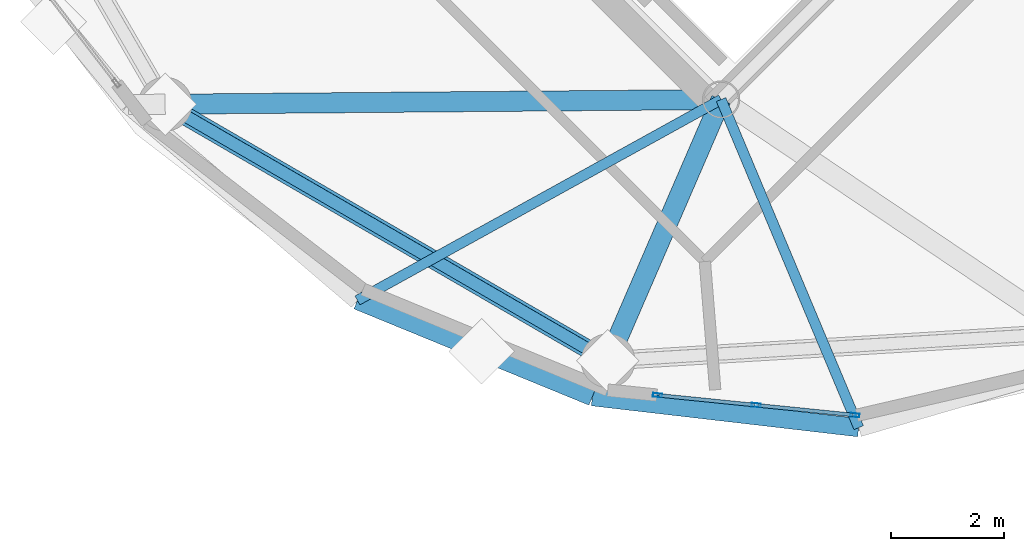
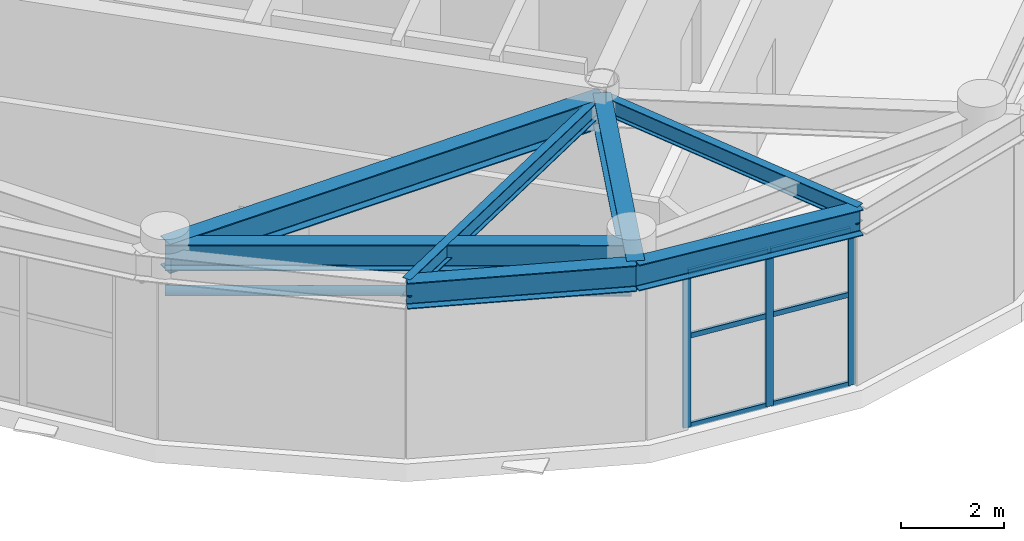
# One storey, part 13 of 28: 10 members, 7 beams, 1 element without a shape of its own.
"""IFC4 building model written with IfcOpenShell, lengths in metres."""

from ifc_helpers import new_model, si_unit, direction, frame, origin, origin_2d, place, context, subcontext, project, spatial, hollow_rectangle, hollow_circle, i_section, extrude, material, layer, layer_set, material_profile, profile_set, type_object, element, aggregate, save


model = new_model("IFC4")

# Units and contexts
model_context = context("Model", 3, precision=1e-05, world=origin(), true_north=direction((0.0, 1.0)))
body_context = subcontext(model_context, "Body", "Model", "MODEL_VIEW")
ifc_project = project(units=[si_unit("LENGTHUNIT", "METRE"), si_unit("AREAUNIT", "SQUARE_METRE"), si_unit("VOLUMEUNIT", "CUBIC_METRE"), si_unit("PLANEANGLEUNIT", "RADIAN"), si_unit("MASSUNIT", "GRAM", prefix="KILO")], contexts=[model_context])

# Site, building, storey
site_placement = place(None, origin())
site = spatial("IfcSite", under=ifc_project, at=site_placement, CompositionType="ELEMENT")
building_placement = place(site_placement, origin())
building = spatial("IfcBuilding", under=site, at=building_placement, Name="Cununo Teusaquillo Station Towers", CompositionType="ELEMENT")
storey_placement = place(building_placement, frame((0.0, 0.0, 235.64990234375)))
storey = spatial("IfcBuildingStorey", under=building, at=storey_placement, Name="L75", CompositionType="ELEMENT", Elevation=235.64990234375)

# Beams
ifc_material_1 = material(Name="Steel ASTM A572 Grade 50", Category="steel")
ifc_material_profile_1 = material_profile(ifc_material_1, i_section(OverallWidth=0.180908203125, OverallDepth=0.4169921875, WebThickness=0.010986328125, FlangeThickness=0.018310546875, FilletRadius=0.012939453125, at=origin_2d()), Name="W16X57")
ifc_profile_set_1 = profile_set([ifc_material_profile_1], Name="Steel ASTM A572 Grade 50")
beam_type_1 = type_object("IfcBeamType", Name="BM-JOIST-1", PredefinedType="JOIST", material=ifc_profile_set_1)
beam_1_placement = place(storey_placement, frame((58.70556640625, 15.975830078125, 4.131591796875), z_axis=(-0.8753153358, -0.483552544108, 0.0), x_axis=(0.483552544108, -0.8753153358, 0.0)))
element("IfcBeam", 1, at=beam_1_placement, inside=storey, type_object=beam_type_1, Name="L75 Tower B Radial Spandrel Joist V11", PredefinedType="JOIST", context=body_context, shape_type="SweptSolid", body=[
    extrude(i_section(OverallWidth=0.180908203125, OverallDepth=0.4169921875, WebThickness=0.010986328125, FlangeThickness=0.018310546875, FilletRadius=0.012939453125, at=origin_2d()), origin(), (0.0, 0.0, 1.0), 7.3330078125),
])
beam_2_placement = place(storey_placement, frame((58.70556640625, 15.975830078125, 4.131591796875), z_axis=(0.386786389381, -0.922169338565, 0.0), x_axis=(0.922169338565, 0.386786389381, 0.0)))
element("IfcBeam", 2, at=beam_2_placement, inside=storey, type_object=beam_type_1, Name="L75 Tower B Radial Spandrel Joist V13", PredefinedType="JOIST", context=body_context, shape_type="SweptSolid", body=[
    extrude(i_section(OverallWidth=0.180908203125, OverallDepth=0.4169921875, WebThickness=0.010986328125, FlangeThickness=0.018310546875, FilletRadius=0.012939453125, at=origin_2d()), origin(), (0.0, 0.0, 1.0), 6.281005859375),
])
ifc_material_2 = material(Name="Steel ASTM A572 Grade 50", Category="steel")
ifc_material_profile_2 = material_profile(ifc_material_2, i_section(OverallWidth=0.35498046875, OverallDepth=0.696044921875, WebThickness=0.015380859375, FlangeThickness=0.02490234375, FilletRadius=0.01806640625, at=origin_2d()), Name="W27X146")
ifc_profile_set_2 = profile_set([ifc_material_profile_2], Name="Steel ASTM A572 Grade 50")
beam_type_2 = type_object("IfcBeamType", Name="BM-PLNT-G1", PredefinedType="BEAM", material=ifc_profile_set_2)
beam_3_placement = place(storey_placement, frame((58.70556640625, 15.975830078125, 3.9921875), z_axis=(-0.999964431382, -0.008434214327, 0.0), x_axis=(0.008434214327, -0.999964431382, 0.0)))
element("IfcBeam", 3, at=beam_3_placement, inside=storey, type_object=beam_type_2, Name="L75 Tower B Radial Girder 06A", PredefinedType="BEAM", context=body_context, shape_type="SweptSolid", body=[
    extrude(i_section(OverallWidth=0.35498046875, OverallDepth=0.696044921875, WebThickness=0.015380859375, FlangeThickness=0.02490234375, FilletRadius=0.01806640625, at=origin_2d()), origin(), (0.0, 0.0, 1.0), 9.812744140625),
])
beam_4_placement = place(storey_placement, frame((58.70556640625, 15.975830078125, 3.9921875), z_axis=(-0.397354530893, -0.917665176837, 0.0), x_axis=(0.917665176837, -0.397354530893, 0.0)))
element("IfcBeam", 4, at=beam_4_placement, inside=storey, type_object=beam_type_2, Name="L75 Tower B Continuous Overhanging Radial Girder 07", PredefinedType="BEAM", context=body_context, shape_type="SweptSolid", body=[
    extrude(i_section(OverallWidth=0.35498046875, OverallDepth=0.696044921875, WebThickness=0.015380859375, FlangeThickness=0.02490234375, FilletRadius=0.01806640625, at=origin_2d()), origin(), (0.0, 0.0, 1.0), 5.716552734375),
])
ifc_material_3 = material(Name="Steel ASTM A572 Grade 50", Category="steel")
ifc_material_profile_3 = material_profile(ifc_material_3, i_section(OverallWidth=0.324951171875, OverallDepth=0.615966796875, WebThickness=0.013916015625, FlangeThickness=0.021484375, FilletRadius=0.01611328125, at=origin_2d()), Name="W24X117")
ifc_profile_set_3 = profile_set([ifc_material_profile_3], Name="Steel ASTM A572 Grade 50")
beam_type_3 = type_object("IfcBeamType", Name="BM-PLNT-G2", PredefinedType="BEAM", material=ifc_profile_set_3)
beam_5_placement = place(storey_placement, frame((48.89306640625, 15.89306640625, 4.031982421875), z_axis=(0.865267103202, -0.501311121078, 0.0), x_axis=(0.501311121078, 0.865267103202, 0.0)))
element("IfcBeam", 5, at=beam_5_placement, inside=storey, type_object=beam_type_3, Name="L75 Tower B Structural Column Ring Girder 06", PredefinedType="BEAM", context=body_context, shape_type="SweptSolid", body=[
    extrude(i_section(OverallWidth=0.324951171875, OverallDepth=0.615966796875, WebThickness=0.013916015625, FlangeThickness=0.021484375, FilletRadius=0.01611328125, at=origin_2d()), origin(), (0.0, 0.0, 1.0), 9.032958984375),
])
beam_6_placement = place(storey_placement, frame((52.286865234375, 12.429931640625, 4.031982421875), z_axis=(0.925283830437, -0.379275405388, 0.0), x_axis=(0.379275405388, 0.925283830437, 0.0)))
element("IfcBeam", 6, at=beam_6_placement, inside=storey, type_object=beam_type_3, Name="L75 Tower B Spandrel Ring Beam 12", PredefinedType="BEAM", context=body_context, shape_type="SweptSolid", body=[
    extrude(i_section(OverallWidth=0.324951171875, OverallDepth=0.615966796875, WebThickness=0.013916015625, FlangeThickness=0.021484375, FilletRadius=0.01611328125, at=origin_2d()), origin(), (0.0, 0.0, 1.0), 4.482177734375),
])
beam_7_placement = place(storey_placement, frame((56.43408203125, 10.72998046875, 4.031982421875), z_axis=(0.993313022334, -0.115452326356, 0.0), x_axis=(0.115452326356, 0.993313022334, 0.0)))
element("IfcBeam", 7, at=beam_7_placement, inside=storey, type_object=beam_type_3, Name="L75 Tower B Spandrel Ring Beam 13", PredefinedType="BEAM", context=body_context, shape_type="SweptSolid", body=[
    extrude(i_section(OverallWidth=0.324951171875, OverallDepth=0.615966796875, WebThickness=0.013916015625, FlangeThickness=0.021484375, FilletRadius=0.01611328125, at=origin_2d()), origin(), (0.0, 0.0, 1.0), 4.732666015625),
])

# Curtain wall, members
ifc_material_4 = material(Name="Ceramic-fritted dark low-E double glazing", Category="glass")
ifc_layer = layer(ifc_material_4, 0.179931640625)
ifc_layer_set = layer_set([ifc_layer], Name="Ceramic-fritted dark low-E double glazing")
curtain_wall_type = type_object("IfcCurtainWallType", Name="CW-SYS-08", PredefinedType="USERDEFINED", material=ifc_layer_set)
curtain_wall_placement = place(storey_placement, origin())
curtain_wall = element("IfcCurtainWall", 8, at=curtain_wall_placement, inside=storey, type_object=curtain_wall_type, Name="L75 Tower B Crown Drum Glazed Screen C12", ObjectType="FRITTED GLAZING", PredefinedType="USERDEFINED")
ifc_material_5 = material(Name="Anodised dark bronze aluminium EN AW-6063-T6", Category="aluminium")
ifc_material_profile_4 = material_profile(ifc_material_5, hollow_rectangle(XDim=0.06494140625, YDim=0.159912109375, WallThickness=0.00390625, at=origin_2d()), Name="CW-MULL-65x160")
ifc_profile_set_4 = profile_set([ifc_material_profile_4], Name="Anodised dark bronze aluminium EN AW-6063-T6")
member_type_1 = type_object("IfcMemberType", Name="CWM-160", PredefinedType="MULLION", material=ifc_profile_set_4)
member_1_placement = place(storey_placement, frame((61.068115234375, 10.404052734375, 0.0), z_axis=(0.0, 0.0, 1.0), x_axis=(-0.1005275693, -0.994934273111, 0.0)))
member_1 = element("IfcMember", 9, at=member_1_placement, type_object=member_type_1, Name="CW-08 mullion 1", PredefinedType="MULLION", context=body_context, shape_type="SweptSolid", body=[
    extrude(hollow_rectangle(XDim=0.06494140625, YDim=0.159912109375, WallThickness=0.00390625, at=origin_2d()), origin(), (0.0, 0.0, 1.0), 3.696044921875),
])
member_2_placement = place(storey_placement, frame((59.325439453125, 10.580322265625, 0.0), z_axis=(0.0, 0.0, 1.0), x_axis=(-0.1005275693, -0.994934273111, 0.0)))
member_2 = element("IfcMember", 10, at=member_2_placement, type_object=member_type_1, Name="CW-08 mullion 2", PredefinedType="MULLION", context=body_context, shape_type="SweptSolid", body=[
    extrude(hollow_rectangle(XDim=0.06494140625, YDim=0.159912109375, WallThickness=0.00390625, at=origin_2d()), origin(), (0.0, 0.0, 1.0), 3.696044921875),
])
member_3_placement = place(storey_placement, frame((57.58251953125, 10.75634765625, 0.0), z_axis=(0.0, 0.0, 1.0), x_axis=(-0.1005275693, -0.994934273111, 0.0)))
member_3 = element("IfcMember", 11, at=member_3_placement, type_object=member_type_1, Name="CW-08 mullion 3", PredefinedType="MULLION", context=body_context, shape_type="SweptSolid", body=[
    extrude(hollow_rectangle(XDim=0.06494140625, YDim=0.159912109375, WallThickness=0.00390625, at=origin_2d()), origin(), (0.0, 0.0, 1.0), 3.696044921875),
])
ifc_material_6 = material(Name="Anodised dark bronze aluminium EN AW-6063-T6", Category="aluminium")
ifc_material_profile_5 = material_profile(ifc_material_6, hollow_rectangle(XDim=0.06494140625, YDim=0.1201171875, WallThickness=0.00390625, at=origin_2d()), Name="CW-TRAN-65x120")
ifc_profile_set_5 = profile_set([ifc_material_profile_5], Name="Anodised dark bronze aluminium EN AW-6063-T6")
member_type_2 = type_object("IfcMemberType", Name="CWT-120", PredefinedType="USERDEFINED", material=ifc_profile_set_5)
member_4_placement = place(storey_placement, frame((61.03564453125, 10.407470703125, 0.03271484375), z_axis=(-0.994940697413, 0.100463966827, 0.0), x_axis=(-0.100463966827, -0.994940697413, 0.0)))
member_4 = element("IfcMember", 12, at=member_4_placement, type_object=member_type_2, Name="CW-08 transom 1.1", ObjectType="TRANSOM", PredefinedType="USERDEFINED", context=body_context, shape_type="SweptSolid", body=[
    extrude(hollow_rectangle(XDim=0.06494140625, YDim=0.1201171875, WallThickness=0.00390625, at=origin_2d()), origin(), (0.0, 0.0, 1.0), 1.6865234375),
])
member_5_placement = place(storey_placement, frame((61.03564453125, 10.407470703125, 2.150146484375), z_axis=(-0.994940697413, 0.100463966827, 0.0), x_axis=(-0.100463966827, -0.994940697413, 0.0)))
member_5 = element("IfcMember", 13, at=member_5_placement, type_object=member_type_2, Name="CW-08 transom 1.2", ObjectType="TRANSOM", PredefinedType="USERDEFINED", context=body_context, shape_type="SweptSolid", body=[
    extrude(hollow_rectangle(XDim=0.06494140625, YDim=0.1201171875, WallThickness=0.00390625, at=origin_2d()), origin(), (0.0, 0.0, 1.0), 1.6865234375),
])
member_6_placement = place(storey_placement, frame((61.03564453125, 10.407470703125, 3.66357421875), z_axis=(-0.994940697413, 0.100463966827, 0.0), x_axis=(-0.100463966827, -0.994940697413, 0.0)))
member_6 = element("IfcMember", 14, at=member_6_placement, type_object=member_type_2, Name="CW-08 transom 1.3", ObjectType="TRANSOM", PredefinedType="USERDEFINED", context=body_context, shape_type="SweptSolid", body=[
    extrude(hollow_rectangle(XDim=0.06494140625, YDim=0.1201171875, WallThickness=0.00390625, at=origin_2d()), origin(), (0.0, 0.0, 1.0), 1.6865234375),
])
member_7_placement = place(storey_placement, frame((59.29296875, 10.58349609375, 0.03271484375), z_axis=(-0.994926217643, 0.100607263387, 0.0), x_axis=(-0.100607263387, -0.994926217643, 0.0)))
member_7 = element("IfcMember", 15, at=member_7_placement, type_object=member_type_2, Name="CW-08 transom 2.1", ObjectType="TRANSOM", PredefinedType="USERDEFINED", context=body_context, shape_type="SweptSolid", body=[
    extrude(hollow_rectangle(XDim=0.06494140625, YDim=0.1201171875, WallThickness=0.00390625, at=origin_2d()), origin(), (0.0, 0.0, 1.0), 1.6865234375),
])
member_8_placement = place(storey_placement, frame((59.29296875, 10.58349609375, 2.150146484375), z_axis=(-0.994926217643, 0.100607263387, 0.0), x_axis=(-0.100607263387, -0.994926217643, 0.0)))
member_8 = element("IfcMember", 16, at=member_8_placement, type_object=member_type_2, Name="CW-08 transom 2.2", ObjectType="TRANSOM", PredefinedType="USERDEFINED", context=body_context, shape_type="SweptSolid", body=[
    extrude(hollow_rectangle(XDim=0.06494140625, YDim=0.1201171875, WallThickness=0.00390625, at=origin_2d()), origin(), (0.0, 0.0, 1.0), 1.6865234375),
])
member_9_placement = place(storey_placement, frame((59.29296875, 10.58349609375, 3.66357421875), z_axis=(-0.994926217643, 0.100607263387, 0.0), x_axis=(-0.100607263387, -0.994926217643, 0.0)))
member_9 = element("IfcMember", 17, at=member_9_placement, type_object=member_type_2, Name="CW-08 transom 2.3", ObjectType="TRANSOM", PredefinedType="USERDEFINED", context=body_context, shape_type="SweptSolid", body=[
    extrude(hollow_rectangle(XDim=0.06494140625, YDim=0.1201171875, WallThickness=0.00390625, at=origin_2d()), origin(), (0.0, 0.0, 1.0), 1.6865234375),
])
aggregate(curtain_wall, [member_1, member_2, member_3, member_4, member_5, member_6, member_7, member_8, member_9])

# Member
ifc_material_7 = material(Name="Steel EN 10025-2 S355J2", Category="steel")
ifc_material_profile_6 = material_profile(ifc_material_7, hollow_circle(Radius=0.109619140625, WallThickness=0.010009765625, at=origin_2d()), Name="CHS 219x10")
ifc_profile_set_6 = profile_set([ifc_material_profile_6], Name="Steel EN 10025-2 S355J2")
member_type_3 = type_object("IfcMemberType", Name="MBR-DRUM-COL", PredefinedType="COLLAR", material=ifc_profile_set_6)
member_10_placement = place(storey_placement, frame((48.89306640625, 15.89306640625, 3.150146484375), z_axis=(0.865267103202, -0.501311121078, 0.0), x_axis=(0.501311121078, 0.865267103202, 0.0)))
element("IfcMember", 18, at=member_10_placement, inside=storey, type_object=member_type_3, Name="L75 Tower B Crown Drum Collar 06", PredefinedType="COLLAR", context=body_context, shape_type="SweptSolid", body=[
    extrude(hollow_circle(Radius=0.109619140625, WallThickness=0.010009765625, at=origin_2d()), origin(), (0.0, 0.0, 1.0), 9.032958984375),
])

save(model, "model.ifc")
